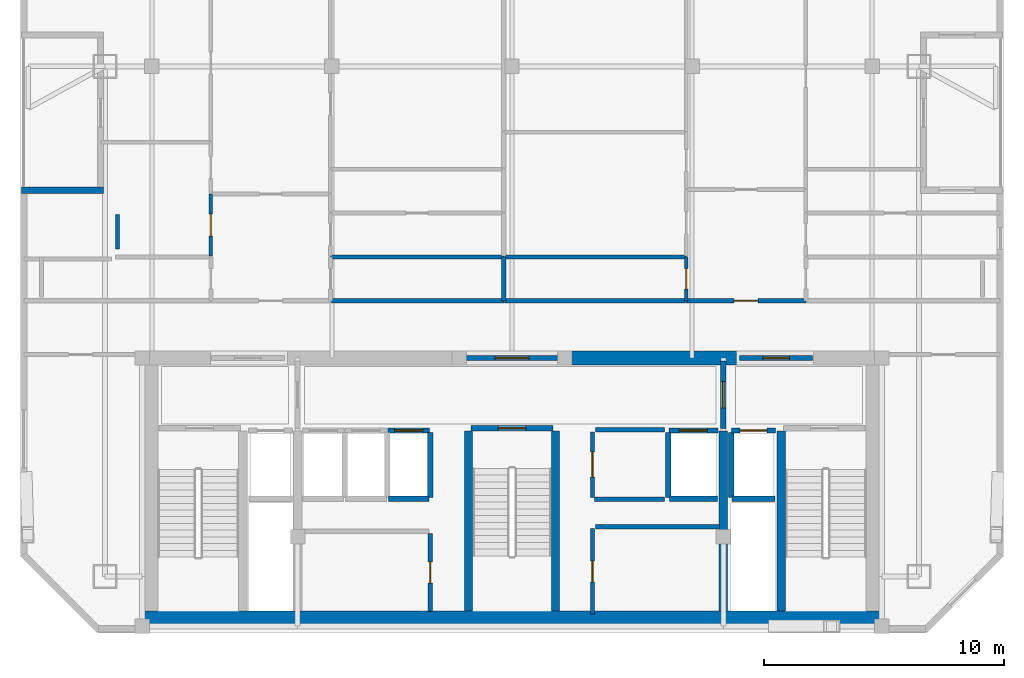
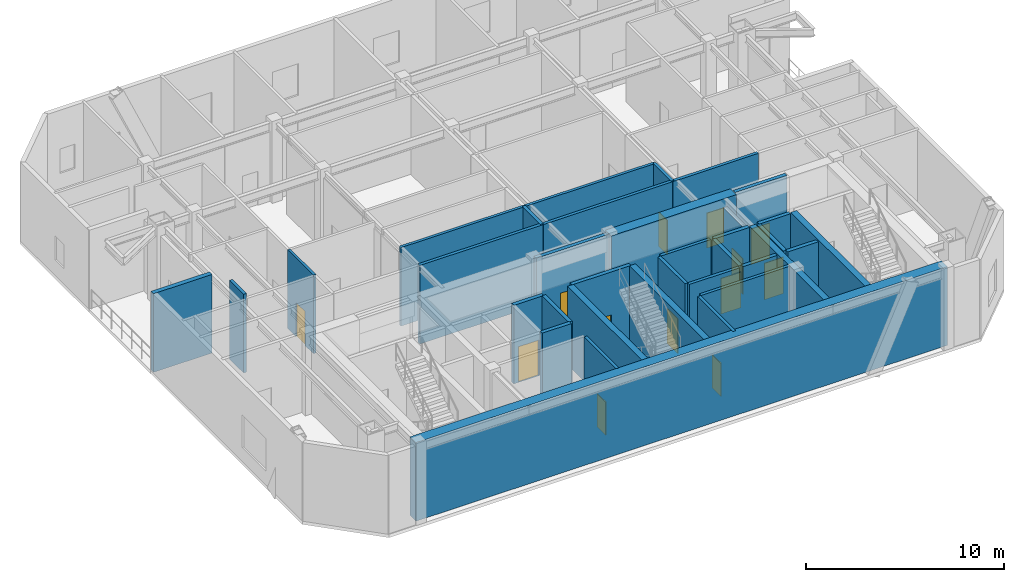
# One storey, part 3 of 7: 35 walls, 13 doors, 13 openings.
"""IFC4 building model written with IfcOpenShell, lengths in metres."""

import ifcopenshell
import ifcopenshell.guid

model = None  # the IFC model being written
_history = None  # IfcOwnerHistory: only IFC2X3 demands one
_inside = {}  # id of a spatial element -> (the spatial element, [elements in it])
_under = {}  # id of a project, library or spatial element -> (it, [spatial elements below it])
_declared = {}  # id of a project -> (the project, [libraries it declares])
_typed = {}  # id of a type object -> (the type object, [elements of that type])
_made_of = {}  # id of a material, layer set ... -> (it, [elements and type objects made of it])


def new_model(schema):
    """Start an empty IFC model of exactly this schema.

    Asked for "IFC4X3", IfcOpenShell would pick the latest addendum, in which some entities
    have other attributes; the version numbers below select the first issue.
    IFC2X3 requires an IfcOwnerHistory on every rooted entity: one is made here for all.
    """
    global model, _history
    if schema == "IFC4X3":
        model = ifcopenshell.file(schema_version=(4, 3, 0, 0))
    else:
        model = ifcopenshell.file(schema=schema)
    _inside.clear()
    _under.clear()
    _declared.clear()
    _typed.clear()
    _made_of.clear()
    _history = None
    if model.schema == "IFC2X3":
        org = make("IfcOrganization", Name="unknown")
        user = make(
            "IfcPersonAndOrganization",
            ThePerson=make("IfcPerson", FamilyName="unknown"),
            TheOrganization=org,
        )
        app = make(
            "IfcApplication",
            ApplicationDeveloper=org,
            Version="unknown",
            ApplicationFullName="unknown",
            ApplicationIdentifier="unknown",
        )
        _history = make(
            "IfcOwnerHistory",
            OwningUser=user,
            OwningApplication=app,
            ChangeAction="ADDED",
            CreationDate=0,
        )
    return model


def make(cls, **values):
    """One entity of the class cls with the attributes given. An attribute that is None is left unset."""
    return model.create_entity(
        cls, **{name: value for name, value in values.items() if value is not None}
    )


def rooted(cls, **values):
    """An entity with a GlobalId (a new one), such as an element, a storey or a relation."""
    return make(cls, GlobalId=ifcopenshell.guid.new(), OwnerHistory=_history, **values)


def si_unit(unit_type, name, prefix=None):
    """IfcSIUnit, for example si_unit("LENGTHUNIT", "METRE", prefix="MILLI")."""
    return make("IfcSIUnit", UnitType=unit_type, Prefix=prefix, Name=name)


def assignment(units):
    """IfcUnitAssignment: the units of a project."""
    return None if units is None else make("IfcUnitAssignment", Units=units)


def point(xyz):
    """IfcCartesianPoint."""
    return None if xyz is None else make("IfcCartesianPoint", Coordinates=xyz)


def direction(xyz):
    """IfcDirection."""
    return None if xyz is None else make("IfcDirection", DirectionRatios=xyz)


def frame(location, z_axis=None, x_axis=None):
    """IfcAxis2Placement3D, a coordinate frame: its origin and axes. An axis left out is left unset."""
    return make(
        "IfcAxis2Placement3D",
        Location=point(location),
        Axis=direction(z_axis),
        RefDirection=direction(x_axis),
    )


def frame_2d(location, x_axis=None):
    """IfcAxis2Placement2D, a coordinate frame in the plane: its origin and x axis."""
    return make(
        "IfcAxis2Placement2D", Location=point(location), RefDirection=direction(x_axis)
    )


def origin():
    """The frame at (0, 0, 0) with its axes left unset."""
    return frame((0.0, 0.0, 0.0))


def place(relative_to, where):
    """IfcLocalPlacement: puts the frame where relative to a parent placement (None: the world)."""
    return make(
        "IfcLocalPlacement", PlacementRelTo=relative_to, RelativePlacement=where
    )


def context(
    kind, dimensions, precision=None, world=None, true_north=None, identifier=None
):
    """IfcGeometricRepresentationContext, for example the 3D "Model" context."""
    return make(
        "IfcGeometricRepresentationContext",
        ContextIdentifier=identifier,
        ContextType=kind,
        CoordinateSpaceDimension=dimensions,
        Precision=precision,
        WorldCoordinateSystem=world,
        TrueNorth=true_north,
    )


def subcontext(parent, identifier, kind, view, scale=None):
    """IfcGeometricRepresentationSubContext, for example "Body" below "Model"."""
    return make(
        "IfcGeometricRepresentationSubContext",
        ContextIdentifier=identifier,
        ContextType=kind,
        ParentContext=parent,
        TargetScale=scale,
        TargetView=view,
    )


def project(units=None, contexts=None):
    """IfcProject with its units and contexts."""
    return rooted(
        "IfcProject",
        Name="project",
        RepresentationContexts=contexts,
        UnitsInContext=assignment(units),
    )


def spatial(cls, under=None, at=None, **own):
    """A site, building, storey or space (cls), placed at a placement, below another one or the project."""
    s = rooted(cls, ObjectPlacement=at, **own)
    if under is not None:
        _under.setdefault(under.id(), (under, []))[1].append(s)
    return s


def profile(cls, at=None, kind="AREA", **sizes):
    """A parametric profile (cls). Its sizes go by their IFC names, for example OverallWidth=200.0."""
    return make(cls, ProfileType=kind, Position=at, **sizes)


def rectangle(**sizes):
    """IfcRectangleProfileDef."""
    return profile("IfcRectangleProfileDef", **sizes)


def extrude(swept, where, along, depth):
    """IfcExtrudedAreaSolid: the profile swept, set in the frame where, extruded along a direction by depth."""
    return make(
        "IfcExtrudedAreaSolid",
        SweptArea=swept,
        Position=where,
        ExtrudedDirection=direction(along),
        Depth=depth,
    )


def shape(context_of_items, identifier, shape_type, items):
    """IfcShapeRepresentation: the items that make up one representation, for example the "Body"."""
    return make(
        "IfcShapeRepresentation",
        ContextOfItems=context_of_items,
        RepresentationIdentifier=identifier,
        RepresentationType=shape_type,
        Items=items,
    )


def material(Name=None, Category=None):
    """IfcMaterial."""
    return make("IfcMaterial", Name=Name, Category=Category)


def layer(
    of_material, thickness, ventilated=None, Name=None, Category=None, Priority=None
):
    """IfcMaterialLayer: one layer of a wall or slab, of a material (None: an air gap)."""
    return make(
        "IfcMaterialLayer",
        Material=of_material,
        LayerThickness=thickness,
        IsVentilated=ventilated,
        Name=Name,
        Category=Category,
        Priority=Priority,
    )


def layer_set(layers, Name=None):
    """IfcMaterialLayerSet."""
    return make("IfcMaterialLayerSet", MaterialLayers=layers, LayerSetName=Name)


def made_of(thing, what):
    """Note that an element or type object is made of a material, layer set ...; save() writes the relation."""
    if what is not None:
        _made_of.setdefault(what.id(), (what, []))[1].append(thing)
    return thing


def type_object(cls, material=None, **own):
    """A type object (cls), such as IfcWallType, which elements share."""
    return made_of(rooted(cls, **own), material)


def element(
    cls,
    number,
    at=None,
    inside=None,
    cuts=None,
    type_object=None,
    material=None,
    context=None,
    identifier="Body",
    shape_type=None,
    held_by="IfcProductDefinitionShape",
    body=None,
    shapes=None,
    **own,
):
    """One element of the class cls, such as IfcWall. Its Tag is "e" and its number.

    at: its placement. inside: the storey or other place that contains it. cuts: it is an
    opening in that element (IfcRelVoidsElement). A single representation is given by context,
    identifier, shape_type and body (its items); several are given by shapes. held_by: the class
    of the entity that holds the representations. save() writes the other relations.
    """
    e = rooted(cls, Tag="e%d" % number, ObjectPlacement=at, **own)
    if body is not None:
        shapes = [shape(context, identifier, shape_type, body)]
    if shapes is not None:
        e.Representation = make(held_by, Representations=shapes)
    if inside is not None:
        _inside.setdefault(inside.id(), (inside, []))[1].append(e)
    if cuts is not None:
        rooted(
            "IfcRelVoidsElement", RelatingBuildingElement=cuts, RelatedOpeningElement=e
        )
    if type_object is not None:
        _typed.setdefault(type_object.id(), (type_object, []))[1].append(e)
    return made_of(e, material)


def fill(opening, filler):
    """IfcRelFillsElement: the door or window that sits in an opening."""
    return rooted(
        "IfcRelFillsElement",
        RelatingOpeningElement=opening,
        RelatedBuildingElement=filler,
    )


def aggregate(whole, parts):
    """IfcRelAggregates: a whole, such as a stair, and the parts it consists of."""
    return rooted("IfcRelAggregates", RelatingObject=whole, RelatedObjects=parts)


def save(model, path):
    """Write the relations noted so far, then the file.

    IfcRelAggregates (storeys below a building ...), IfcRelContainedInSpatialStructure (elements
    in a storey), IfcRelDefinesByType, IfcRelAssociatesMaterial and IfcRelDeclares: one each for
    every whole, place, type object, material and project.
    """
    for whole, parts in _under.values():
        aggregate(whole, parts)
    for where, things in _inside.values():
        rooted(
            "IfcRelContainedInSpatialStructure",
            RelatedElements=things,
            RelatingStructure=where,
        )
    for kind, things in _typed.values():
        rooted("IfcRelDefinesByType", RelatedObjects=things, RelatingType=kind)
    for what, things in _made_of.values():
        rooted("IfcRelAssociatesMaterial", RelatedObjects=things, RelatingMaterial=what)
    for by, libraries in _declared.values():
        rooted("IfcRelDeclares", RelatingContext=by, RelatedDefinitions=libraries)
    model.write(path)


model = new_model("IFC4")

# Units and contexts
model_context = context("Model", 3, precision=1e-05, world=origin(), true_north=direction((0.0, 1.0)))
body_context = subcontext(model_context, "Body", "Model", "MODEL_VIEW")
ifc_project = project(units=[si_unit("LENGTHUNIT", "METRE"), si_unit("AREAUNIT", "SQUARE_METRE"), si_unit("VOLUMEUNIT", "CUBIC_METRE"), si_unit("PLANEANGLEUNIT", "RADIAN"), si_unit("MASSUNIT", "GRAM", prefix="KILO")], contexts=[model_context])

# Site, building, storey
site_placement = place(None, origin())
site = spatial("IfcSite", under=ifc_project, at=site_placement, CompositionType="ELEMENT")
building_placement = place(site_placement, origin())
building = spatial("IfcBuilding", under=site, at=building_placement, Name="Ventersveld Concourse Tower", CompositionType="ELEMENT")
storey_placement = place(building_placement, frame((0.0, 0.0, 276.0)))
storey = spatial("IfcBuildingStorey", under=building, at=storey_placement, Name="L68", CompositionType="ELEMENT", Elevation=276.0)

# Walls
ifc_material_1 = material(Name="Concrete C50/60", Category="concrete")
ifc_layer_1 = layer(ifc_material_1, 0.35009765625)
ifc_layer_set_1 = layer_set([ifc_layer_1], Name="Concrete C50/60")
wall_type_1 = type_object("IfcWallType", Name="WL-CORE-350U", PredefinedType="SHEAR", material=ifc_layer_set_1)
for number, where, z_axis, x_axis, name in (
    (1, (26.93994140625, 0.919921875, 0.0), (0.0, 0.0, 1.0), (0.0, 1.0, 0.0), "L68 Core Internal Shear Web W-ST3-W"),
    (2, (30.56005859375, 0.919921875, 0.0), (0.0, 0.0, 1.0), (0.0, 1.0, 0.0), "L68 Core Internal Shear Web W-ST3-E"),
    (3, (37.550048828125, 0.919921875, 0.0), (0.0, 0.0, 1.0), (0.0, 1.0, 0.0), "L68 Core Internal Shear Web W-SVL-W"),
    (4, (39.9599609375, 0.919921875, 0.0), (0.0, 0.0, 1.0), (0.0, 1.0, 0.0), "L68 Core Internal Shear Web W-ST2-W"),
):
    element("IfcWall", number, at=place(storey_placement, frame(where, z_axis=z_axis, x_axis=x_axis)), inside=storey, type_object=wall_type_1, Name=name, PredefinedType="SHEAR", context=body_context, shape_type="SweptSolid", body=[
        extrude(rectangle(XDim=7.5, YDim=0.35009765625, at=frame_2d((3.75, 0.0))), origin(), (0.0, 0.0, 1.0), 4.85009765625),
    ])
ifc_layer_2 = layer(ifc_material_1, 0.60009765625)
ifc_layer_set_2 = layer_set([ifc_layer_2], Name="Concrete C50/60")
wall_type_2 = type_object("IfcWallType", Name="WL-CORE-600", PredefinedType="SHEAR", material=ifc_layer_set_2)
wall_1_placement = place(storey_placement, frame((13.25, 0.6201171875, 0.0), z_axis=(0.0, 0.0, 1.0), x_axis=(1.0, 0.0, 0.0)))
element("IfcWall", 5, at=wall_1_placement, inside=storey, type_object=wall_type_2, Name="L68 Rear Core South Shear Wall", PredefinedType="SHEAR", context=body_context, shape_type="SweptSolid", body=[
    extrude(rectangle(XDim=31.0, YDim=0.60009765625, at=frame_2d((15.5, 0.0))), origin(), (0.0, 0.0, 1.0), 4.85009765625),
])
wall_2_placement = place(storey_placement, frame((30.89990234375, 11.449951171875, 0.0), z_axis=(0.0, 0.0, 1.0), x_axis=(1.0, 0.0, 0.0)))
element("IfcWall", 6, at=wall_2_placement, inside=storey, type_object=wall_type_2, Name="L68 Rear Core North Shear Wall NMR", PredefinedType="SHEAR", context=body_context, shape_type="SweptSolid", body=[
    extrude(rectangle(XDim=7.300048828125, YDim=0.60009765625, at=frame_2d((3.64990234375, 0.0))), origin(), (0.0, 0.0, 1.0), 4.85009765625),
])

# Wall, opening, door
ifc_material_2 = material(Name="Fire-rated autoclaved aerated masonry blockwork", Category="masonry")
ifc_layer_3 = layer(ifc_material_2, 0.179931640625)
ifc_layer_set_3 = layer_set([ifc_layer_3], Name="Fire-rated autoclaved aerated masonry blockwork")
wall_type_3 = type_object("IfcWallType", Name="WL-CORR-180", PredefinedType="PARTITIONING", material=ifc_layer_set_3)
wall_3_placement = place(storey_placement, frame((25.35009765625, 0.89990234375, 0.0), z_axis=(0.0, 0.0, 1.0), x_axis=(0.0, 1.0, 0.0)))
wall_3 = element("IfcWall", 7, at=wall_3_placement, inside=storey, type_object=wall_type_3, Name="L68 Core Passage Wall SP-L68-RECB1A", PredefinedType="PARTITIONING", context=body_context, shape_type="SweptSolid", body=[
    extrude(rectangle(XDim=3.239990234375, YDim=0.179931640625, at=frame_2d((1.6201171875, 0.0))), origin(), (0.0, 0.0, 1.0), 4.85009765625),
])
opening_1_placement = place(wall_3_placement, frame((1.179931640625, 0.0, 0.0)))
opening_1 = element("IfcOpeningElement", 8, at=opening_1_placement, cuts=wall_3, Name="Opening FD5", PredefinedType="OPENING", context=body_context, shape_type="SweptSolid", body=[
    extrude(rectangle(XDim=0.8798828125, YDim=2.050048828125, at=frame_2d((0.43994140625, 1.02490234375))), frame((0.0, 0.10009765625, 0.0), z_axis=(0.0, -1.0, 0.0), x_axis=(1.0, 0.0, 0.0)), (0.0, 0.0, 1.0), 0.199951171875),
])
ifc_material_3 = material(Name="Galvanised painted steel", Category="steel")
door_type_1 = type_object("IfcDoorType", Name="DR-RISER-088", OperationType="NOTDEFINED", PredefinedType="DOOR", material=ifc_material_3)
door_1_placement = place(opening_1_placement, origin())
door_1 = element("IfcDoor", 9, at=door_1_placement, inside=storey, type_object=door_type_1, Name="L68 Core Room Door L68 Reclaimed Core Quiet Study Pod (CD-L68-3179)", OperationType="SINGLE_SWING_RIGHT", OverallHeight=2.050048828125, OverallWidth=0.8798828125, PredefinedType="DOOR", context=body_context, shape_type="SweptSolid", body=[
    extrude(rectangle(XDim=0.8798828125, YDim=2.050048828125, at=frame_2d((0.43994140625, 1.02490234375))), frame((0.0, 0.02490234375, 0.0), z_axis=(0.0, -1.0, 0.0), x_axis=(1.0, 0.0, 0.0)), (0.0, 0.0, 1.0), 0.050048828125),
])
fill(opening_1, door_1)

wall_4_placement = place(storey_placement, frame((32.10009765625, 0.780029296875, 0.0), z_axis=(0.0, 0.0, 1.0), x_axis=(0.0, 1.0, 0.0)))
wall_4 = element("IfcWall", 10, at=wall_4_placement, inside=storey, type_object=wall_type_3, Name="L68 Core Passage Wall SP-L68-RECB2A", PredefinedType="PARTITIONING", context=body_context, shape_type="SweptSolid", body=[
    extrude(rectangle(XDim=3.570068359375, YDim=0.179931640625, at=frame_2d((1.78515625, 0.0))), origin(), (0.0, 0.0, 1.0), 4.85009765625),
])
opening_2_placement = place(wall_4_placement, frame((1.344970703125, 0.0, 0.0)))
opening_2 = element("IfcOpeningElement", 11, at=opening_2_placement, cuts=wall_4, Name="Opening FD5", PredefinedType="OPENING", context=body_context, shape_type="SweptSolid", body=[
    extrude(rectangle(XDim=0.8798828125, YDim=2.050048828125, at=frame_2d((0.43994140625, 1.02490234375))), frame((0.0, 0.10009765625, 0.0), z_axis=(0.0, -1.0, 0.0), x_axis=(1.0, 0.0, 0.0)), (0.0, 0.0, 1.0), 0.199951171875),
])
door_2_placement = place(opening_2_placement, origin())
door_2 = element("IfcDoor", 12, at=door_2_placement, inside=storey, type_object=door_type_1, Name="L68 Core Room Door L68 Reclaimed Core Co-Working Study (CD-L68-3180)", OperationType="SINGLE_SWING_LEFT", OverallHeight=2.050048828125, OverallWidth=0.8798828125, PredefinedType="DOOR", context=body_context, shape_type="SweptSolid", body=[
    extrude(rectangle(XDim=0.8798828125, YDim=2.050048828125, at=frame_2d((0.43994140625, 1.02490234375))), frame((0.0, 0.02490234375, 0.0), z_axis=(0.0, -1.0, 0.0), x_axis=(1.0, 0.0, 0.0)), (0.0, 0.0, 1.0), 0.050048828125),
])
fill(opening_2, door_2)

# Wall
wall_5_placement = place(storey_placement, frame((32.219970703125, 4.429931640625, 0.0), z_axis=(0.0, 0.0, 1.0), x_axis=(1.0, 0.0, 0.0)))
element("IfcWall", 13, at=wall_5_placement, inside=storey, type_object=wall_type_3, Name="L68 Core Top Wall SP-L68-RECB2A", PredefinedType="PARTITIONING", context=body_context, shape_type="SweptSolid", body=[
    extrude(rectangle(XDim=5.179931640625, YDim=0.179931640625, at=frame_2d((2.58984375, 0.0))), origin(), (0.0, 0.0, 1.0), 4.85009765625),
])

# Wall, opening, door
wall_6_placement = place(storey_placement, frame((32.10009765625, 5.64990234375, 0.0), z_axis=(0.0, 0.0, 1.0), x_axis=(0.0, 1.0, 0.0)))
wall_6 = element("IfcWall", 14, at=wall_6_placement, inside=storey, type_object=wall_type_3, Name="L68 Core Passage Wall SP-L68-CBAY1", PredefinedType="PARTITIONING", context=body_context, shape_type="SweptSolid", body=[
    extrude(rectangle(XDim=2.72998046875, YDim=0.179931640625, at=frame_2d((1.364990234375, 0.0))), origin(), (0.0, 0.0, 1.0), 4.85009765625),
])
opening_3_placement = place(wall_6_placement, frame((0.840087890625, 0.0, 0.0)))
opening_3 = element("IfcOpeningElement", 15, at=opening_3_placement, cuts=wall_6, Name="Opening ID3", PredefinedType="OPENING", context=body_context, shape_type="SweptSolid", body=[
    extrude(rectangle(XDim=1.050048828125, YDim=2.14990234375, at=frame_2d((0.52490234375, 1.074951171875))), frame((0.0, 0.10009765625, 0.0), z_axis=(0.0, -1.0, 0.0), x_axis=(1.0, 0.0, 0.0)), (0.0, 0.0, 1.0), 0.199951171875),
])
ifc_material_4 = material(Name="Solid-core hardwood veneer timber", Category="wood")
door_type_2 = type_object("IfcDoorType", Name="DR-AWC-105", OperationType="NOTDEFINED", PredefinedType="DOOR", material=ifc_material_4)
door_3_placement = place(opening_3_placement, origin())
door_3 = element("IfcDoor", 16, at=door_3_placement, inside=storey, type_object=door_type_2, Name="L68 Core Room Door L68 Core Unisex Accessible WC (CD-L68-3181)", OperationType="SINGLE_SWING_RIGHT", OverallHeight=2.14990234375, OverallWidth=1.050048828125, PredefinedType="DOOR", context=body_context, shape_type="SweptSolid", body=[
    extrude(rectangle(XDim=1.050048828125, YDim=2.14990234375, at=frame_2d((0.52490234375, 1.074951171875))), frame((0.0, 0.02490234375, 0.0), z_axis=(0.0, -1.0, 0.0), x_axis=(1.0, 0.0, 0.0)), (0.0, 0.0, 1.0), 0.050048828125),
])
fill(opening_3, door_3)

# Walls
wall_7_placement = place(storey_placement, frame((32.219970703125, 8.4599609375, 0.0), z_axis=(0.0, 0.0, 1.0), x_axis=(1.0, 0.0, 0.0)))
element("IfcWall", 17, at=wall_7_placement, inside=storey, type_object=wall_type_3, Name="L68 Core Top Wall SP-L68-CBAY1", PredefinedType="PARTITIONING", context=body_context, shape_type="SweptSolid", body=[
    extrude(rectangle(XDim=2.880126953125, YDim=0.179931640625, at=frame_2d((1.43994140625, 0.0))), origin(), (0.0, 0.0, 1.0), 4.85009765625),
])
wall_8_placement = place(storey_placement, frame((32.179931640625, 5.570068359375, 0.0), z_axis=(0.0, 0.0, 1.0), x_axis=(1.0, 0.0, 0.0)))
element("IfcWall", 18, at=wall_8_placement, inside=storey, type_object=wall_type_3, Name="L68 Core Bot Wall SP-L68-CBAY1", PredefinedType="PARTITIONING", context=body_context, shape_type="SweptSolid", body=[
    extrude(rectangle(XDim=2.920166015625, YDim=0.179931640625, at=frame_2d((1.4599609375, 0.0))), origin(), (0.0, 0.0, 1.0), 4.85009765625),
])
wall_9_placement = place(storey_placement, frame((21.222412109375, 13.830078125, 0.0), z_axis=(0.0, 0.0, 1.0), x_axis=(1.0, 0.0, 0.0)))
element("IfcWall", 19, at=wall_9_placement, inside=storey, type_object=wall_type_3, Name="L68 Interior Partition SP-L68-COR-SP-L68-68N1-PWDR3", PredefinedType="PARTITIONING", context=body_context, shape_type="SweptSolid", body=[
    extrude(rectangle(XDim=7.185302734375, YDim=0.179931640625, at=frame_2d((3.5927734375, 0.0))), origin(), (0.0, 0.0, 1.0), 4.85009765625),
])

# Wall, opening, door
wall_10_placement = place(storey_placement, frame((36.0029296875, 13.830078125, 0.0), z_axis=(0.0, 0.0, 1.0), x_axis=(1.0, 0.0, 0.0)))
wall_10 = element("IfcWall", 20, at=wall_10_placement, inside=storey, type_object=wall_type_3, Name="L68 Interior Partition SP-L68-COR-SP-L68-68N2-FOY", PredefinedType="PARTITIONING", context=body_context, shape_type="SweptSolid", body=[
    extrude(rectangle(XDim=4.989990234375, YDim=0.179931640625, at=frame_2d((2.4951171875, 0.0))), origin(), (0.0, 0.0, 1.0), 4.85009765625),
])
opening_4_placement = place(wall_10_placement, frame((1.9951171875, 0.0, 0.0)))
opening_4 = element("IfcOpeningElement", 21, at=opening_4_placement, cuts=wall_10, Name="Opening FD3", PredefinedType="OPENING", context=body_context, shape_type="SweptSolid", body=[
    extrude(rectangle(XDim=1.0, YDim=2.14990234375, at=frame_2d((0.5, 1.074951171875))), frame((0.0, 0.10009765625, 0.0), z_axis=(0.0, -1.0, 0.0), x_axis=(1.0, 0.0, 0.0)), (0.0, 0.0, 1.0), 0.199951171875),
])
door_type_3 = type_object("IfcDoorType", Name="DR-FLAT-100", OperationType="NOTDEFINED", PredefinedType="DOOR", material=ifc_material_4)
door_4_placement = place(opening_4_placement, origin())
door_4 = element("IfcDoor", 22, at=door_4_placement, inside=storey, type_object=door_type_3, Name="L68 Interior Door SP-L68-COR to SP-L68-68N2-FOY (FD-L68-3185)", OperationType="SINGLE_SWING_LEFT", OverallHeight=2.14990234375, OverallWidth=1.0, PredefinedType="DOOR", context=body_context, shape_type="SweptSolid", body=[
    extrude(rectangle(XDim=1.0, YDim=2.14990234375, at=frame_2d((0.5, 1.074951171875))), frame((0.0, 0.02490234375, 0.0), z_axis=(0.0, -1.0, 0.0), x_axis=(1.0, 0.0, 0.0)), (0.0, 0.0, 1.0), 0.050048828125),
])
fill(opening_4, door_4)

# Walls
wall_11_placement = place(storey_placement, frame((28.437744140625, 13.830078125, 0.0), z_axis=(0.0, 0.0, 1.0), x_axis=(1.0, 0.0, 0.0)))
element("IfcWall", 23, at=wall_11_placement, inside=storey, type_object=wall_type_3, Name="L68 Interior Partition SP-L68-COR-SP-L68-68N2-BATH", PredefinedType="PARTITIONING", context=body_context, shape_type="SweptSolid", body=[
    extrude(rectangle(XDim=7.53515625, YDim=0.179931640625, at=frame_2d((3.767578125, 0.0))), origin(), (0.0, 0.0, 1.0), 4.85009765625),
])
wall_12_placement = place(storey_placement, frame((12.322021484375, 15.985107421875, 0.0), z_axis=(0.0, 0.0, 1.0), x_axis=(0.0, 1.0, 0.0)))
element("IfcWall", 24, at=wall_12_placement, inside=storey, type_object=wall_type_3, Name="L68 Room Enclosure Wall SP-L68-68N1-OFFL0", PredefinedType="PARTITIONING", context=body_context, shape_type="SweptSolid", body=[
    extrude(rectangle(XDim=1.442138671875, YDim=0.179931640625, at=frame_2d((0.72119140625, 0.0))), origin(), (0.0, 0.0, 1.0), 4.85009765625),
])
ifc_layer_4 = layer(ifc_material_2, 0.199951171875)
ifc_layer_set_4 = layer_set([ifc_layer_4], Name="Fire-rated autoclaved aerated masonry blockwork")
wall_type_4 = type_object("IfcWallType", Name="WL-DEMISE-200", PredefinedType="PARTITIONING", material=ifc_layer_set_4)
wall_13_placement = place(storey_placement, frame((28.402587890625, 13.824951171875, 0.0), z_axis=(0.0, 0.0, 1.0), x_axis=(0.0, 1.0, 0.0)))
element("IfcWall", 25, at=wall_13_placement, inside=storey, type_object=wall_type_4, Name="L68 Interior Partition SP-L68-68N1-PWDR3-SP-L68-68N2-BATH", PredefinedType="PARTITIONING", context=body_context, shape_type="SweptSolid", body=[
    extrude(rectangle(XDim=1.840087890625, YDim=0.199951171875, at=frame_2d((0.919921875, 0.0))), origin(), (0.0, 0.0, 1.0), 4.85009765625),
])
ifc_layer_5 = layer(ifc_material_2, 0.219970703125)
ifc_layer_set_5 = layer_set([ifc_layer_5], Name="Fire-rated autoclaved aerated masonry blockwork")
wall_type_5 = type_object("IfcWallType", Name="WL-HOIST-220", PredefinedType="SOLIDWALL", material=ifc_layer_set_5)
wall_14_placement = place(storey_placement, frame((37.919921875, 5.590087890625, 0.0), z_axis=(0.0, 0.0, 1.0), x_axis=(1.0, 0.0, 0.0)))
element("IfcWall", 26, at=wall_14_placement, inside=storey, type_object=wall_type_5, Name="L68 Lift Hoistway Back Wall FFL-02", PredefinedType="SOLIDWALL", context=body_context, shape_type="SweptSolid", body=[
    extrude(rectangle(XDim=1.780029296875, YDim=0.219970703125, at=frame_2d((0.89013671875, 0.0))), origin(), (0.0, 0.0, 1.0), 4.85009765625),
])
wall_15_placement = place(storey_placement, frame((37.8798828125, 5.64990234375, 0.0), z_axis=(0.0, 0.0, 1.0), x_axis=(0.0, 1.0, 0.0)))
element("IfcWall", 27, at=wall_15_placement, inside=storey, type_object=wall_type_5, Name="L68 Lift Hoistway Side Wall FFL-02W", PredefinedType="SOLIDWALL", context=body_context, shape_type="SweptSolid", body=[
    extrude(rectangle(XDim=2.7001953125, YDim=0.219970703125, at=frame_2d((1.35009765625, 0.0))), origin(), (0.0, 0.0, 1.0), 4.85009765625),
])

# Wall, opening, door
wall_16_placement = place(storey_placement, frame((37.89990234375, 8.429931640625, 0.0), z_axis=(0.0, 0.0, 1.0), x_axis=(1.0, 0.0, 0.0)))
wall_16 = element("IfcWall", 28, at=wall_16_placement, inside=storey, type_object=wall_type_5, Name="L68 Lift Hoistway Front Wall FFL-02", PredefinedType="SOLIDWALL", context=body_context, shape_type="SweptSolid", body=[
    extrude(rectangle(XDim=1.820068359375, YDim=0.219970703125, at=frame_2d((0.91015625, 0.0))), origin(), (0.0, 0.0, 1.0), 4.85009765625),
])
opening_5_placement = place(wall_16_placement, frame((0.35009765625, 0.0, 0.0)))
opening_5 = element("IfcOpeningElement", 29, at=opening_5_placement, cuts=wall_16, Name="Opening LD1", PredefinedType="OPENING", context=body_context, shape_type="SweptSolid", body=[
    extrude(rectangle(XDim=1.1201171875, YDim=2.25, at=frame_2d((0.56005859375, 1.125))), frame((0.0, 0.1201171875, 0.0), z_axis=(0.0, -1.0, 0.0), x_axis=(1.0, 0.0, 0.0)), (0.0, 0.0, 1.0), 0.239990234375),
])
ifc_material_5 = material(Name="Brushed stainless steel 316", Category="steel")
door_type_4 = type_object("IfcDoorType", Name="LD-FF-112", OperationType="SLIDING_TO_LEFT", PredefinedType="DOOR", material=ifc_material_5)
door_5_placement = place(opening_5_placement, origin())
door_5 = element("IfcDoor", 30, at=door_5_placement, inside=storey, type_object=door_type_4, Name="L68 Lift landing door FFL-02 (LD-L68-FFL-02)", OperationType="SLIDING_TO_LEFT", OverallHeight=2.25, OverallWidth=1.1201171875, PredefinedType="DOOR", context=body_context, shape_type="SweptSolid", body=[
    extrude(rectangle(XDim=1.1201171875, YDim=2.25, at=frame_2d((0.56005859375, 1.125))), frame((0.0, 0.02490234375, 0.0), z_axis=(0.0, -1.0, 0.0), x_axis=(1.0, 0.0, 0.0)), (0.0, 0.0, 1.0), 0.050048828125),
])
fill(opening_5, door_5)

# Walls
wall_17_placement = place(storey_placement, frame((35.300048828125, 5.590087890625, 0.0), z_axis=(0.0, 0.0, 1.0), x_axis=(1.0, 0.0, 0.0)))
element("IfcWall", 31, at=wall_17_placement, inside=storey, type_object=wall_type_5, Name="L68 Lift Hoistway Back Wall SVL-01", PredefinedType="SOLIDWALL", context=body_context, shape_type="SweptSolid", body=[
    extrude(rectangle(XDim=2.0, YDim=0.219970703125, at=frame_2d((1.0, 0.0))), origin(), (0.0, 0.0, 1.0), 4.85009765625),
])
wall_18_placement = place(storey_placement, frame((35.260009765625, 5.64990234375, 0.0), z_axis=(0.0, 0.0, 1.0), x_axis=(0.0, 1.0, 0.0)))
element("IfcWall", 32, at=wall_18_placement, inside=storey, type_object=wall_type_5, Name="L68 Lift Hoistway Side Wall SVL-01W", PredefinedType="SOLIDWALL", context=body_context, shape_type="SweptSolid", body=[
    extrude(rectangle(XDim=2.7001953125, YDim=0.219970703125, at=frame_2d((1.35009765625, 0.0))), origin(), (0.0, 0.0, 1.0), 4.85009765625),
])

# Wall, opening, door
wall_19_placement = place(storey_placement, frame((35.280029296875, 8.429931640625, 0.0), z_axis=(0.0, 0.0, 1.0), x_axis=(1.0, 0.0, 0.0)))
wall_19 = element("IfcWall", 33, at=wall_19_placement, inside=storey, type_object=wall_type_5, Name="L68 Lift Hoistway Front Wall SVL-01", PredefinedType="SOLIDWALL", context=body_context, shape_type="SweptSolid", body=[
    extrude(rectangle(XDim=2.0400390625, YDim=0.219970703125, at=frame_2d((1.02001953125, 0.0))), origin(), (0.0, 0.0, 1.0), 4.85009765625),
])
opening_6_placement = place(wall_19_placement, frame((0.429931640625, 0.0, 0.0)))
opening_6 = element("IfcOpeningElement", 34, at=opening_6_placement, cuts=wall_19, Name="Opening LD2", PredefinedType="OPENING", context=body_context, shape_type="SweptSolid", body=[
    extrude(rectangle(XDim=1.179931640625, YDim=2.199951171875, at=frame_2d((0.58984375, 1.10009765625))), frame((0.0, 0.1201171875, 0.0), z_axis=(0.0, -1.0, 0.0), x_axis=(1.0, 0.0, 0.0)), (0.0, 0.0, 1.0), 0.239990234375),
])
door_type_5 = type_object("IfcDoorType", Name="LD-PAX-118", OperationType="SLIDING_TO_LEFT", PredefinedType="DOOR", material=ifc_material_5)
door_6_placement = place(opening_6_placement, origin())
door_6 = element("IfcDoor", 35, at=door_6_placement, inside=storey, type_object=door_type_5, Name="L68 Lift landing door SVL-01 (LD-L68-SVL-01)", OperationType="SLIDING_TO_RIGHT", OverallHeight=2.199951171875, OverallWidth=1.179931640625, PredefinedType="DOOR", context=body_context, shape_type="SweptSolid", body=[
    extrude(rectangle(XDim=1.179931640625, YDim=2.199951171875, at=frame_2d((0.58984375, 1.10009765625))), frame((0.0, 0.02490234375, 0.0), z_axis=(0.0, -1.0, 0.0), x_axis=(1.0, 0.0, 0.0)), (0.0, 0.0, 1.0), 0.050048828125),
])
fill(opening_6, door_6)

# Walls
wall_20_placement = place(storey_placement, frame((23.60009765625, 5.590087890625, 0.0), z_axis=(0.0, 0.0, 1.0), x_axis=(1.0, 0.0, 0.0)))
element("IfcWall", 36, at=wall_20_placement, inside=storey, type_object=wall_type_5, Name="L68 Lift Hoistway Back Wall PH-03", PredefinedType="SOLIDWALL", context=body_context, shape_type="SweptSolid", body=[
    extrude(rectangle(XDim=1.699951171875, YDim=0.219970703125, at=frame_2d((0.85009765625, 0.0))), origin(), (0.0, 0.0, 1.0), 4.85009765625),
])
wall_21_placement = place(storey_placement, frame((25.340087890625, 5.64990234375, 0.0), z_axis=(0.0, 0.0, 1.0), x_axis=(0.0, 1.0, 0.0)))
element("IfcWall", 37, at=wall_21_placement, inside=storey, type_object=wall_type_5, Name="L68 Lift Hoistway Side Wall PH-03E", PredefinedType="SOLIDWALL", context=body_context, shape_type="SweptSolid", body=[
    extrude(rectangle(XDim=2.7001953125, YDim=0.219970703125, at=frame_2d((1.35009765625, 0.0))), origin(), (0.0, 0.0, 1.0), 4.85009765625),
])

# Wall, opening, door
wall_22_placement = place(storey_placement, frame((23.580078125, 8.429931640625, 0.0), z_axis=(0.0, 0.0, 1.0), x_axis=(1.0, 0.0, 0.0)))
wall_22 = element("IfcWall", 38, at=wall_22_placement, inside=storey, type_object=wall_type_5, Name="L68 Lift Hoistway Front Wall PH-03", PredefinedType="SOLIDWALL", context=body_context, shape_type="SweptSolid", body=[
    extrude(rectangle(XDim=1.739990234375, YDim=0.219970703125, at=frame_2d((0.8701171875, 0.0))), origin(), (0.0, 0.0, 1.0), 4.85009765625),
])
opening_7_placement = place(wall_22_placement, frame((0.280029296875, 0.0, 0.0)))
opening_7 = element("IfcOpeningElement", 39, at=opening_7_placement, cuts=wall_22, Name="Opening LD2", PredefinedType="OPENING", context=body_context, shape_type="SweptSolid", body=[
    extrude(rectangle(XDim=1.179931640625, YDim=2.199951171875, at=frame_2d((0.58984375, 1.10009765625))), frame((0.0, 0.1201171875, 0.0), z_axis=(0.0, -1.0, 0.0), x_axis=(1.0, 0.0, 0.0)), (0.0, 0.0, 1.0), 0.239990234375),
])
door_7_placement = place(opening_7_placement, origin())
door_7 = element("IfcDoor", 40, at=door_7_placement, inside=storey, type_object=door_type_5, Name="L68 Lift landing door PH-03 (LD-L68-PH-03)", OperationType="SLIDING_TO_LEFT", OverallHeight=2.199951171875, OverallWidth=1.179931640625, PredefinedType="DOOR", context=body_context, shape_type="SweptSolid", body=[
    extrude(rectangle(XDim=1.179931640625, YDim=2.199951171875, at=frame_2d((0.58984375, 1.10009765625))), frame((0.0, 0.02490234375, 0.0), z_axis=(0.0, -1.0, 0.0), x_axis=(1.0, 0.0, 0.0)), (0.0, 0.0, 1.0), 0.050048828125),
])
fill(opening_7, door_7)

wall_23_placement = place(storey_placement, frame((27.0400390625, 8.52001953125, 0.0), z_axis=(0.0, 0.0, 1.0), x_axis=(1.0, 0.0, 0.0)))
wall_23 = element("IfcWall", 41, at=wall_23_placement, inside=storey, type_object=wall_type_5, Name="L68 Escape Stair ST03 Fire Wall", PredefinedType="SOLIDWALL", context=body_context, shape_type="SweptSolid", body=[
    extrude(rectangle(XDim=3.419921875, YDim=0.219970703125, at=frame_2d((1.7099609375, 0.0))), origin(), (0.0, 0.0, 1.0), 4.85009765625),
])
opening_8_placement = place(wall_23_placement, frame((1.135009765625, 0.0, 0.0)))
opening_8 = element("IfcOpeningElement", 42, at=opening_8_placement, cuts=wall_23, Name="Opening FD1", PredefinedType="OPENING", context=body_context, shape_type="SweptSolid", body=[
    extrude(rectangle(XDim=1.14990234375, YDim=2.199951171875, at=frame_2d((0.574951171875, 1.10009765625))), frame((0.0, 0.1201171875, 0.0), z_axis=(0.0, -1.0, 0.0), x_axis=(1.0, 0.0, 0.0)), (0.0, 0.0, 1.0), 0.239990234375),
])
door_type_6 = type_object("IfcDoorType", Name="DR-STAIR-115", OperationType="NOTDEFINED", PredefinedType="DOOR", material=ifc_material_3)
door_8_placement = place(opening_8_placement, origin())
door_8 = element("IfcDoor", 43, at=door_8_placement, inside=storey, type_object=door_type_6, Name="L68 Escape Stair Door ST03 (SD-L68-3173)", OperationType="SINGLE_SWING_LEFT", OverallHeight=2.199951171875, OverallWidth=1.14990234375, PredefinedType="DOOR", context=body_context, shape_type="SweptSolid", body=[
    extrude(rectangle(XDim=1.14990234375, YDim=2.199951171875, at=frame_2d((0.574951171875, 1.10009765625))), frame((0.0, 0.02490234375, 0.0), z_axis=(0.0, -1.0, 0.0), x_axis=(1.0, 0.0, 0.0)), (0.0, 0.0, 1.0), 0.050048828125),
])
fill(opening_8, door_8)

wall_24_placement = place(storey_placement, frame((37.550048828125, 8.52001953125, 0.0), z_axis=(0.0, 0.0, 1.0), x_axis=(0.0, 1.0, 0.0)))
wall_24 = element("IfcWall", 44, at=wall_24_placement, inside=storey, type_object=wall_type_5, Name="L68 Firefighting Lobby Smoke-Stop Wall FFLE-SEP", PredefinedType="SOLIDWALL", context=body_context, shape_type="SweptSolid", body=[
    extrude(rectangle(XDim=2.800048828125, YDim=0.219970703125, at=frame_2d((1.39990234375, 0.0))), origin(), (0.0, 0.0, 1.0), 4.305419921875),
])
opening_9_placement = place(wall_24_placement, frame((0.85009765625, 0.0, 0.0)))
opening_9 = element("IfcOpeningElement", 45, at=opening_9_placement, cuts=wall_24, Name="Opening FD2", PredefinedType="OPENING", context=body_context, shape_type="SweptSolid", body=[
    extrude(rectangle(XDim=1.10009765625, YDim=2.199951171875, at=frame_2d((0.550048828125, 1.10009765625))), frame((0.0, 0.1201171875, 0.0), z_axis=(0.0, -1.0, 0.0), x_axis=(1.0, 0.0, 0.0)), (0.0, 0.0, 1.0), 0.239990234375),
])
door_type_7 = type_object("IfcDoorType", Name="DR-FFL-110", OperationType="NOTDEFINED", PredefinedType="DOOR", material=ifc_material_3)
door_9_placement = place(opening_9_placement, origin())
door_9 = element("IfcDoor", 46, at=door_9_placement, inside=storey, type_object=door_type_7, Name="L68 Firefighting Lobby Door FFLE-SEP (FD-L68-3175)", OperationType="SINGLE_SWING_RIGHT", OverallHeight=2.199951171875, OverallWidth=1.10009765625, PredefinedType="DOOR", context=body_context, shape_type="SweptSolid", body=[
    extrude(rectangle(XDim=1.10009765625, YDim=2.199951171875, at=frame_2d((0.550048828125, 1.10009765625))), frame((0.0, 0.02490234375, 0.0), z_axis=(0.0, -1.0, 0.0), x_axis=(1.0, 0.0, 0.0)), (0.0, 0.0, 1.0), 0.050048828125),
])
fill(opening_9, door_9)

wall_25_placement = place(storey_placement, frame((26.6298828125, 11.449951171875, 0.0), z_axis=(0.0, 0.0, 1.0), x_axis=(1.0, 0.0, 0.0)))
wall_25 = element("IfcWall", 47, at=wall_25_placement, inside=storey, type_object=wall_type_5, Name="L68 Core North Fire Portal PLOB-OUT", PredefinedType="SOLIDWALL", context=body_context, shape_type="SweptSolid", body=[
    extrude(rectangle(XDim=4.240234375, YDim=0.219970703125, at=frame_2d((2.1201171875, 0.0))), origin(), (0.0, 0.0, 1.0), 4.85009765625),
])
opening_10_placement = place(wall_25_placement, frame((1.419921875, 0.0, 0.0)))
opening_10 = element("IfcOpeningElement", 48, at=opening_10_placement, cuts=wall_25, Name="Opening FD4", PredefinedType="OPENING", context=body_context, shape_type="SweptSolid", body=[
    extrude(rectangle(XDim=1.39990234375, YDim=2.199951171875, at=frame_2d((0.699951171875, 1.10009765625))), frame((0.0, 0.1201171875, 0.0), z_axis=(0.0, -1.0, 0.0), x_axis=(1.0, 0.0, 0.0)), (0.0, 0.0, 1.0), 0.239990234375),
])
door_type_8 = type_object("IfcDoorType", Name="DR-PLANT-140", OperationType="DOUBLE_DOOR_SINGLE_SWING", PredefinedType="DOOR", material=ifc_material_3)
door_10_placement = place(opening_10_placement, origin())
door_10 = element("IfcDoor", 49, at=door_10_placement, inside=storey, type_object=door_type_8, Name="L68 Core Lobby Fire Door PLOB-OUT (FD-L68-3177)", OperationType="DOUBLE_DOOR_SINGLE_SWING", OverallHeight=2.199951171875, OverallWidth=1.39990234375, PredefinedType="DOOR", context=body_context, shape_type="SweptSolid", body=[
    extrude(rectangle(XDim=1.39990234375, YDim=2.199951171875, at=frame_2d((0.699951171875, 1.10009765625))), frame((0.0, 0.02490234375, 0.0), z_axis=(0.0, -1.0, 0.0), x_axis=(1.0, 0.0, 0.0)), (0.0, 0.0, 1.0), 0.050048828125),
])
fill(opening_10, door_10)

wall_26_placement = place(storey_placement, frame((38.22998046875, 11.449951171875, 0.0), z_axis=(0.0, 0.0, 1.0), x_axis=(1.0, 0.0, 0.0)))
wall_26 = element("IfcWall", 50, at=wall_26_placement, inside=storey, type_object=wall_type_5, Name="L68 Core North Fire Portal FFLE-OUT", PredefinedType="SOLIDWALL", context=body_context, shape_type="SweptSolid", body=[
    extrude(rectangle(XDim=3.0400390625, YDim=0.219970703125, at=frame_2d((1.52001953125, 0.0))), origin(), (0.0, 0.0, 1.0), 4.85009765625),
])
opening_11_placement = place(wall_26_placement, frame((0.969970703125, 0.0, 0.0)))
opening_11 = element("IfcOpeningElement", 51, at=opening_11_placement, cuts=wall_26, Name="Opening FD2", PredefinedType="OPENING", context=body_context, shape_type="SweptSolid", body=[
    extrude(rectangle(XDim=1.10009765625, YDim=2.199951171875, at=frame_2d((0.550048828125, 1.10009765625))), frame((0.0, 0.1201171875, 0.0), z_axis=(0.0, -1.0, 0.0), x_axis=(1.0, 0.0, 0.0)), (0.0, 0.0, 1.0), 0.239990234375),
])
door_11_placement = place(opening_11_placement, origin())
door_11 = element("IfcDoor", 52, at=door_11_placement, inside=storey, type_object=door_type_7, Name="L68 Core Lobby Fire Door FFLE-OUT (FD-L68-3178)", OperationType="SINGLE_SWING_LEFT", OverallHeight=2.199951171875, OverallWidth=1.10009765625, PredefinedType="DOOR", context=body_context, shape_type="SweptSolid", body=[
    extrude(rectangle(XDim=1.10009765625, YDim=2.199951171875, at=frame_2d((0.550048828125, 1.10009765625))), frame((0.0, 0.02490234375, 0.0), z_axis=(0.0, -1.0, 0.0), x_axis=(1.0, 0.0, 0.0)), (0.0, 0.0, 1.0), 0.050048828125),
])
fill(opening_11, door_11)

ifc_material_6 = material(Name="Autoclaved aerated masonry blockwork", Category="masonry")
ifc_layer_6 = layer(ifc_material_6, 0.14990234375)
ifc_layer_set_6 = layer_set([ifc_layer_6], Name="Autoclaved aerated masonry blockwork")
wall_type_6 = type_object("IfcWallType", Name="WL-INT-150", PredefinedType="PARTITIONING", material=ifc_layer_set_6)
wall_27_placement = place(storey_placement, frame((16.20751953125, 15.695068359375, 0.0), z_axis=(0.0, 0.0, 1.0), x_axis=(0.0, 1.0, 0.0)))
wall_27 = element("IfcWall", 53, at=wall_27_placement, inside=storey, type_object=wall_type_6, Name="L68 Interior Partition SP-L68-68N1-FOY-SP-L68-68N1-OFFL0", PredefinedType="PARTITIONING", context=body_context, shape_type="SweptSolid", body=[
    extrude(rectangle(XDim=2.58984375, YDim=0.14990234375, at=frame_2d((1.294921875, 0.0))), origin(), (0.0, 0.0, 1.0), 4.85009765625),
])
opening_12_placement = place(wall_27_placement, frame((0.8349609375, 0.0, 0.0)))
opening_12 = element("IfcOpeningElement", 54, at=opening_12_placement, cuts=wall_27, Name="Opening ID1", PredefinedType="OPENING", context=body_context, shape_type="SweptSolid", body=[
    extrude(rectangle(XDim=0.919921875, YDim=2.10009765625, at=frame_2d((0.4599609375, 1.050048828125))), frame((0.0, 0.0849609375, 0.0), z_axis=(0.0, -1.0, 0.0), x_axis=(1.0, 0.0, 0.0)), (0.0, 0.0, 1.0), 0.169921875),
])
door_type_9 = type_object("IfcDoorType", Name="DR-ROOM-092", OperationType="NOTDEFINED", PredefinedType="DOOR", material=ifc_material_4)
door_12_placement = place(opening_12_placement, origin())
door_12 = element("IfcDoor", 55, at=door_12_placement, inside=storey, type_object=door_type_9, Name="L68 Interior Door SP-L68-68N1-FOY to SP-L68-68N1-OFFL0 (D-L68-3188)", OperationType="SINGLE_SWING_RIGHT", OverallHeight=2.10009765625, OverallWidth=0.919921875, PredefinedType="DOOR", context=body_context, shape_type="SweptSolid", body=[
    extrude(rectangle(XDim=0.919921875, YDim=2.10009765625, at=frame_2d((0.4599609375, 1.050048828125))), frame((0.0, 0.02490234375, 0.0), z_axis=(0.0, -1.0, 0.0), x_axis=(1.0, 0.0, 0.0)), (0.0, 0.0, 1.0), 0.050048828125),
])
fill(opening_12, door_12)

# Walls
ifc_material_7 = material(Name="Precast concrete C45/55", Category="concrete")
ifc_layer_7 = layer(ifc_material_7, 0.260009765625)
ifc_layer_set_7 = layer_set([ifc_layer_7], Name="Precast concrete C45/55")
wall_type_7 = type_object("IfcWallType", Name="WL-PREC-260", PredefinedType="SOLIDWALL", material=ifc_layer_set_7)
wall_28_placement = place(storey_placement, frame((11.741943359375, 18.43896484375, 0.0), z_axis=(0.0, 0.0, 1.0), x_axis=(-1.0, 0.0, 0.0)))
element("IfcWall", 56, at=wall_28_placement, inside=storey, type_object=wall_type_7, Name="L68 Highveld Precast Facade Wall E14", PredefinedType="SOLIDWALL", context=body_context, shape_type="SweptSolid", body=[
    extrude(rectangle(XDim=3.419921875, YDim=0.260009765625, at=frame_2d((1.7099609375, 0.0))), origin(), (0.0, 0.0, 1.0), 4.85009765625),
])
ifc_layer_8 = layer(ifc_material_6, 0.1650390625)
ifc_layer_set_8 = layer_set([ifc_layer_8], Name="Autoclaved aerated masonry blockwork")
wall_type_8 = type_object("IfcWallType", Name="WL-WET-165", PredefinedType="PLUMBINGWALL", material=ifc_layer_set_8)
wall_29_placement = place(storey_placement, frame((21.1826171875, 15.659912109375, 0.0), z_axis=(0.0, 0.0, 1.0), x_axis=(1.0, 0.0, 0.0)))
element("IfcWall", 57, at=wall_29_placement, inside=storey, type_object=wall_type_8, Name="L68 Interior Partition SP-L68-68N1-PWDR3-SP-L68-68N1-KIT", PredefinedType="PLUMBINGWALL", context=body_context, shape_type="SweptSolid", body=[
    extrude(rectangle(XDim=7.22509765625, YDim=0.1650390625, at=frame_2d((3.612548828125, 0.0))), origin(), (0.0, 0.0, 1.0), 4.85009765625),
])

# Wall, opening, door
wall_30_placement = place(storey_placement, frame((36.0078125, 13.824951171875, 0.0), z_axis=(0.0, 0.0, 1.0), x_axis=(0.0, 1.0, 0.0)))
wall_30 = element("IfcWall", 58, at=wall_30_placement, inside=storey, type_object=wall_type_8, Name="L68 Interior Partition SP-L68-68N2-FOY-SP-L68-68N2-BATH", PredefinedType="PLUMBINGWALL", context=body_context, shape_type="SweptSolid", body=[
    extrude(rectangle(XDim=1.840087890625, YDim=0.1650390625, at=frame_2d((0.919921875, 0.0))), origin(), (0.0, 0.0, 1.0), 4.85009765625),
])
opening_13_placement = place(wall_30_placement, frame((0.4951171875, 0.0, 0.0)))
opening_13 = element("IfcOpeningElement", 59, at=opening_13_placement, cuts=wall_30, Name="Opening ID2", PredefinedType="OPENING", context=body_context, shape_type="SweptSolid", body=[
    extrude(rectangle(XDim=0.85009765625, YDim=2.10009765625, at=frame_2d((0.425048828125, 1.050048828125))), frame((0.0, 0.092529296875, 0.0), z_axis=(0.0, -1.0, 0.0), x_axis=(1.0, 0.0, 0.0)), (0.0, 0.0, 1.0), 0.18505859375),
])
door_type_10 = type_object("IfcDoorType", Name="DR-BATH-085", OperationType="NOTDEFINED", PredefinedType="DOOR", material=ifc_material_4)
door_13_placement = place(opening_13_placement, origin())
door_13 = element("IfcDoor", 60, at=door_13_placement, inside=storey, type_object=door_type_10, Name="L68 Interior Door SP-L68-68N2-FOY to SP-L68-68N2-BATH (D-L68-3199)", OperationType="SINGLE_SWING_LEFT", OverallHeight=2.10009765625, OverallWidth=0.85009765625, PredefinedType="DOOR", context=body_context, shape_type="SweptSolid", body=[
    extrude(rectangle(XDim=0.85009765625, YDim=2.10009765625, at=frame_2d((0.425048828125, 1.050048828125))), frame((0.0, 0.02490234375, 0.0), z_axis=(0.0, -1.0, 0.0), x_axis=(1.0, 0.0, 0.0)), (0.0, 0.0, 1.0), 0.050048828125),
])
fill(opening_13, door_13)

# Wall
wall_31_placement = place(storey_placement, frame((28.437744140625, 15.659912109375, 0.0), z_axis=(0.0, 0.0, 1.0), x_axis=(1.0, 0.0, 0.0)))
element("IfcWall", 61, at=wall_31_placement, inside=storey, type_object=wall_type_8, Name="L68 Interior Partition SP-L68-68N2-BATH-SP-L68-68N2-OFFL0", PredefinedType="PLUMBINGWALL", context=body_context, shape_type="SweptSolid", body=[
    extrude(rectangle(XDim=7.5751953125, YDim=0.1650390625, at=frame_2d((3.78759765625, 0.0))), origin(), (0.0, 0.0, 1.0), 4.85009765625),
])

save(model, "model.ifc")
